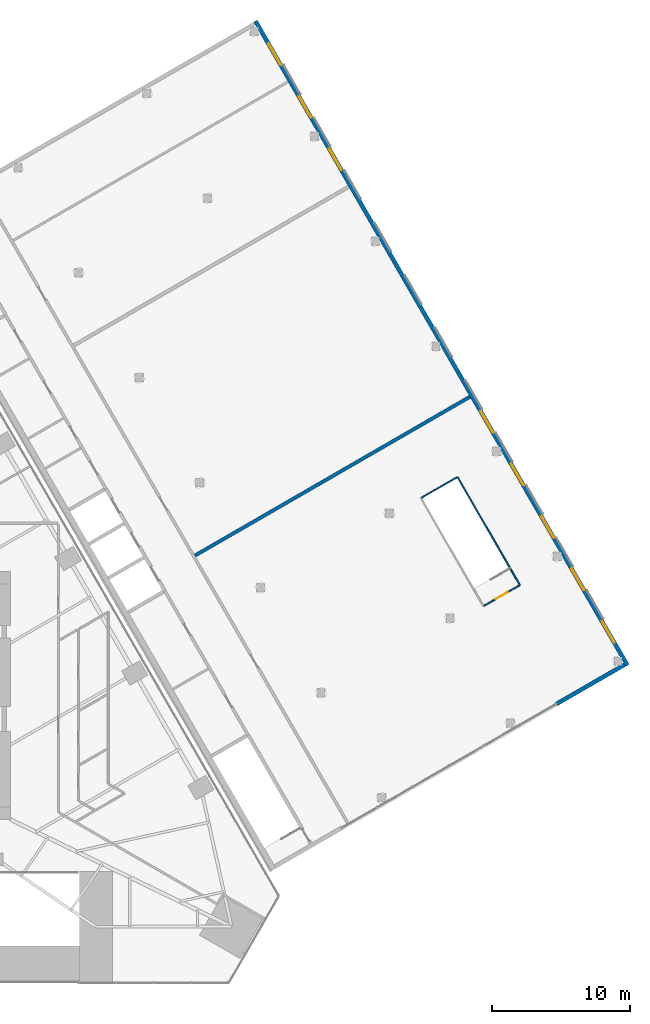
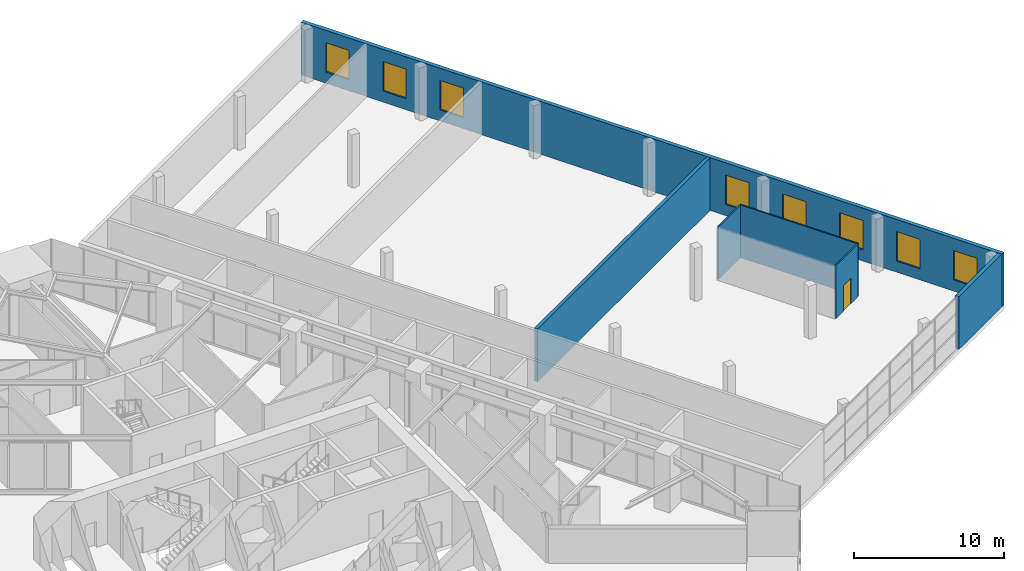
# One storey, part 20 of 23: 8 windows, 6 walls, 1 door, 9 openings.
"""IFC4 building model written with IfcOpenShell, lengths in metres."""

from ifc_helpers import new_model, si_unit, direction, frame, frame_2d, origin, place, context, subcontext, project, spatial, rectangle, extrude, material, layer, layer_set, type_object, element, fill, save


model = new_model("IFC4")

# Units and contexts
model_context = context("Model", 3, precision=1e-05, world=origin(), true_north=direction((0.0, 1.0)))
body_context = subcontext(model_context, "Body", "Model", "MODEL_VIEW")
ifc_project = project(units=[si_unit("LENGTHUNIT", "METRE"), si_unit("AREAUNIT", "SQUARE_METRE"), si_unit("VOLUMEUNIT", "CUBIC_METRE"), si_unit("PLANEANGLEUNIT", "RADIAN"), si_unit("MASSUNIT", "GRAM", prefix="KILO")], contexts=[model_context])

# Site, building, storey
site_placement = place(None, origin())
site = spatial("IfcSite", under=ifc_project, at=site_placement, CompositionType="ELEMENT")
building_placement = place(site_placement, origin())
building = spatial("IfcBuilding", under=site, at=building_placement, Name="Firuza Gate Tower and Library", CompositionType="ELEMENT")
storey_placement = place(building_placement, frame((0.0, 0.0, 21.800048828125)))
storey = spatial("IfcBuildingStorey", under=building, at=storey_placement, Name="L04", CompositionType="ELEMENT", Elevation=21.800048828125)

# Wall, openings, windows
ifc_material_1 = material(Name="Concrete C30/37", Category="concrete")
ifc_layer_1 = layer(ifc_material_1, 0.300048828125)
ifc_layer_set_1 = layer_set([ifc_layer_1], Name="LIB EXTERNAL WALL 300")
wall_type_1 = type_object("IfcWallType", Name="LIB EXTERNAL WALL 300", PredefinedType="SOLIDWALL", material=ifc_layer_set_1)
wall_1_placement = place(storey_placement, frame((132.783935546875, 77.1845703125, 0.0), z_axis=(0.0, 0.0, 1.0), x_axis=(-0.49999992739, 0.866025445706, 0.0)))
wall_1 = element("IfcWall", 1, at=wall_1_placement, inside=storey, type_object=wall_type_1, Name="L04 east wall", PredefinedType="SOLIDWALL", context=body_context, shape_type="SweptSolid", body=[
    extrude(rectangle(XDim=54.0, YDim=0.300048828125, at=frame_2d((27.0, 0.0))), origin(), (0.0, 0.0, 1.0), 4.300048828125),
])
opening_1_placement = place(wall_1_placement, frame((1.89990234375, 0.0, 0.89990234375)))
opening_1 = element("IfcOpeningElement", 2, at=opening_1_placement, cuts=wall_1, Name="Opening LIB-WN1-001", PredefinedType="OPENING", context=body_context, shape_type="SweptSolid", body=[
    extrude(rectangle(XDim=1.800048828125, YDim=2.39990234375, at=frame_2d((0.89990234375, 1.199951171875))), frame((0.0, 0.16015625, 0.0), z_axis=(0.0, -1.0, 0.0), x_axis=(1.0, 0.0, 0.0)), (0.0, 0.0, 1.0), 0.320068359375),
])
opening_2_placement = place(wall_1_placement, frame((6.300048828125, 0.0, 0.89990234375)))
opening_2 = element("IfcOpeningElement", 3, at=opening_2_placement, cuts=wall_1, Name="Opening LIB-WN1-002", PredefinedType="OPENING", context=body_context, shape_type="SweptSolid", body=[
    extrude(rectangle(XDim=1.800048828125, YDim=2.39990234375, at=frame_2d((0.89990234375, 1.199951171875))), frame((0.0, 0.16015625, 0.0), z_axis=(0.0, -1.0, 0.0), x_axis=(1.0, 0.0, 0.0)), (0.0, 0.0, 1.0), 0.320068359375),
])
opening_3_placement = place(wall_1_placement, frame((10.699951171875, 0.0, 0.89990234375)))
opening_3 = element("IfcOpeningElement", 4, at=opening_3_placement, cuts=wall_1, Name="Opening LIB-WN1-003", PredefinedType="OPENING", context=body_context, shape_type="SweptSolid", body=[
    extrude(rectangle(XDim=1.800048828125, YDim=2.39990234375, at=frame_2d((0.89990234375, 1.199951171875))), frame((0.0, 0.16015625, 0.0), z_axis=(0.0, -1.0, 0.0), x_axis=(1.0, 0.0, 0.0)), (0.0, 0.0, 1.0), 0.320068359375),
])
opening_4_placement = place(wall_1_placement, frame((15.10009765625, 0.0, 0.89990234375)))
opening_4 = element("IfcOpeningElement", 5, at=opening_4_placement, cuts=wall_1, Name="Opening LIB-WN1-004", PredefinedType="OPENING", context=body_context, shape_type="SweptSolid", body=[
    extrude(rectangle(XDim=1.800048828125, YDim=2.39990234375, at=frame_2d((0.89990234375, 1.199951171875))), frame((0.0, 0.16015625, 0.0), z_axis=(0.0, -1.0, 0.0), x_axis=(1.0, 0.0, 0.0)), (0.0, 0.0, 1.0), 0.320068359375),
])
opening_5_placement = place(wall_1_placement, frame((19.5, 0.0, 0.89990234375)))
opening_5 = element("IfcOpeningElement", 6, at=opening_5_placement, cuts=wall_1, Name="Opening LIB-WN1-005", PredefinedType="OPENING", context=body_context, shape_type="SweptSolid", body=[
    extrude(rectangle(XDim=1.800048828125, YDim=2.39990234375, at=frame_2d((0.89990234375, 1.199951171875))), frame((0.0, 0.16015625, 0.0), z_axis=(0.0, -1.0, 0.0), x_axis=(1.0, 0.0, 0.0)), (0.0, 0.0, 1.0), 0.320068359375),
])
opening_6_placement = place(wall_1_placement, frame((41.5, 0.0, 0.89990234375)))
opening_6 = element("IfcOpeningElement", 7, at=opening_6_placement, cuts=wall_1, Name="Opening LIB-WN1-006", PredefinedType="OPENING", context=body_context, shape_type="SweptSolid", body=[
    extrude(rectangle(XDim=1.800048828125, YDim=2.39990234375, at=frame_2d((0.89990234375, 1.199951171875))), frame((0.0, 0.16015625, 0.0), z_axis=(0.0, -1.0, 0.0), x_axis=(1.0, 0.0, 0.0)), (0.0, 0.0, 1.0), 0.320068359375),
])
opening_7_placement = place(wall_1_placement, frame((45.89990234375, 0.0, 0.89990234375)))
opening_7 = element("IfcOpeningElement", 8, at=opening_7_placement, cuts=wall_1, Name="Opening LIB-WN1-007", PredefinedType="OPENING", context=body_context, shape_type="SweptSolid", body=[
    extrude(rectangle(XDim=1.800048828125, YDim=2.39990234375, at=frame_2d((0.89990234375, 1.199951171875))), frame((0.0, 0.16015625, 0.0), z_axis=(0.0, -1.0, 0.0), x_axis=(1.0, 0.0, 0.0)), (0.0, 0.0, 1.0), 0.320068359375),
])
opening_8_placement = place(wall_1_placement, frame((50.300048828125, 0.0, 0.89990234375)))
opening_8 = element("IfcOpeningElement", 9, at=opening_8_placement, cuts=wall_1, Name="Opening LIB-WN1-008", PredefinedType="OPENING", context=body_context, shape_type="SweptSolid", body=[
    extrude(rectangle(XDim=1.800048828125, YDim=2.39990234375, at=frame_2d((0.89990234375, 1.199951171875))), frame((0.0, 0.16015625, 0.0), z_axis=(0.0, -1.0, 0.0), x_axis=(1.0, 0.0, 0.0)), (0.0, 0.0, 1.0), 0.320068359375),
])
ifc_material_2 = material(Name="Ceramic-fritted glass", Category="glass")
window_type = type_object("IfcWindowType", Name="LIB WINDOW 1800X2400", PartitioningType="SINGLE_PANEL", PredefinedType="WINDOW", material=ifc_material_2)
window_1_placement = place(opening_1_placement, origin())
window_1 = element("IfcWindow", 10, at=window_1_placement, inside=storey, type_object=window_type, Name="L04 east window 1a", OverallHeight=2.39990234375, OverallWidth=1.800048828125, PartitioningType="SINGLE_PANEL", PredefinedType="WINDOW", context=body_context, shape_type="SweptSolid", body=[
    extrude(rectangle(XDim=1.800048828125, YDim=2.39990234375, at=frame_2d((0.89990234375, 1.199951171875))), frame((0.0, 0.030029296875, 0.0), z_axis=(0.0, -1.0, 0.0), x_axis=(1.0, 0.0, 0.0)), (0.0, 0.0, 1.0), 0.06005859375),
])
fill(opening_1, window_1)
window_2_placement = place(opening_2_placement, origin())
window_2 = element("IfcWindow", 11, at=window_2_placement, inside=storey, type_object=window_type, Name="L04 east window 1b", OverallHeight=2.39990234375, OverallWidth=1.800048828125, PartitioningType="SINGLE_PANEL", PredefinedType="WINDOW", context=body_context, shape_type="SweptSolid", body=[
    extrude(rectangle(XDim=1.800048828125, YDim=2.39990234375, at=frame_2d((0.89990234375, 1.199951171875))), frame((0.0, 0.030029296875, 0.0), z_axis=(0.0, -1.0, 0.0), x_axis=(1.0, 0.0, 0.0)), (0.0, 0.0, 1.0), 0.06005859375),
])
fill(opening_2, window_2)
window_3_placement = place(opening_3_placement, origin())
window_3 = element("IfcWindow", 12, at=window_3_placement, inside=storey, type_object=window_type, Name="L04 east window 2a", OverallHeight=2.39990234375, OverallWidth=1.800048828125, PartitioningType="SINGLE_PANEL", PredefinedType="WINDOW", context=body_context, shape_type="SweptSolid", body=[
    extrude(rectangle(XDim=1.800048828125, YDim=2.39990234375, at=frame_2d((0.89990234375, 1.199951171875))), frame((0.0, 0.030029296875, 0.0), z_axis=(0.0, -1.0, 0.0), x_axis=(1.0, 0.0, 0.0)), (0.0, 0.0, 1.0), 0.06005859375),
])
fill(opening_3, window_3)
window_4_placement = place(opening_4_placement, origin())
window_4 = element("IfcWindow", 13, at=window_4_placement, inside=storey, type_object=window_type, Name="L04 east window 2b", OverallHeight=2.39990234375, OverallWidth=1.800048828125, PartitioningType="SINGLE_PANEL", PredefinedType="WINDOW", context=body_context, shape_type="SweptSolid", body=[
    extrude(rectangle(XDim=1.800048828125, YDim=2.39990234375, at=frame_2d((0.89990234375, 1.199951171875))), frame((0.0, 0.030029296875, 0.0), z_axis=(0.0, -1.0, 0.0), x_axis=(1.0, 0.0, 0.0)), (0.0, 0.0, 1.0), 0.06005859375),
])
fill(opening_4, window_4)
window_5_placement = place(opening_5_placement, origin())
window_5 = element("IfcWindow", 14, at=window_5_placement, inside=storey, type_object=window_type, Name="L04 east window 3a", OverallHeight=2.39990234375, OverallWidth=1.800048828125, PartitioningType="SINGLE_PANEL", PredefinedType="WINDOW", context=body_context, shape_type="SweptSolid", body=[
    extrude(rectangle(XDim=1.800048828125, YDim=2.39990234375, at=frame_2d((0.89990234375, 1.199951171875))), frame((0.0, 0.030029296875, 0.0), z_axis=(0.0, -1.0, 0.0), x_axis=(1.0, 0.0, 0.0)), (0.0, 0.0, 1.0), 0.06005859375),
])
fill(opening_5, window_5)
window_6_placement = place(opening_6_placement, origin())
window_6 = element("IfcWindow", 15, at=window_6_placement, inside=storey, type_object=window_type, Name="L04 east window 5b", OverallHeight=2.39990234375, OverallWidth=1.800048828125, PartitioningType="SINGLE_PANEL", PredefinedType="WINDOW", context=body_context, shape_type="SweptSolid", body=[
    extrude(rectangle(XDim=1.800048828125, YDim=2.39990234375, at=frame_2d((0.89990234375, 1.199951171875))), frame((0.0, 0.030029296875, 0.0), z_axis=(0.0, -1.0, 0.0), x_axis=(1.0, 0.0, 0.0)), (0.0, 0.0, 1.0), 0.06005859375),
])
fill(opening_6, window_6)
window_7_placement = place(opening_7_placement, origin())
window_7 = element("IfcWindow", 16, at=window_7_placement, inside=storey, type_object=window_type, Name="L04 east window 6a", OverallHeight=2.39990234375, OverallWidth=1.800048828125, PartitioningType="SINGLE_PANEL", PredefinedType="WINDOW", context=body_context, shape_type="SweptSolid", body=[
    extrude(rectangle(XDim=1.800048828125, YDim=2.39990234375, at=frame_2d((0.89990234375, 1.199951171875))), frame((0.0, 0.030029296875, 0.0), z_axis=(0.0, -1.0, 0.0), x_axis=(1.0, 0.0, 0.0)), (0.0, 0.0, 1.0), 0.06005859375),
])
fill(opening_7, window_7)
window_8_placement = place(opening_8_placement, origin())
window_8 = element("IfcWindow", 17, at=window_8_placement, inside=storey, type_object=window_type, Name="L04 east window 6b", OverallHeight=2.39990234375, OverallWidth=1.800048828125, PartitioningType="SINGLE_PANEL", PredefinedType="WINDOW", context=body_context, shape_type="SweptSolid", body=[
    extrude(rectangle(XDim=1.800048828125, YDim=2.39990234375, at=frame_2d((0.89990234375, 1.199951171875))), frame((0.0, 0.030029296875, 0.0), z_axis=(0.0, -1.0, 0.0), x_axis=(1.0, 0.0, 0.0)), (0.0, 0.0, 1.0), 0.06005859375),
])
fill(opening_8, window_8)

# Walls
wall_2_placement = place(storey_placement, frame((127.642578125, 74.389404296875, 0.0), z_axis=(0.0, 0.0, 1.0), x_axis=(0.866025820012, 0.499999279071, 0.0)))
element("IfcWall", 18, at=wall_2_placement, inside=storey, type_object=wall_type_1, Name="L04 south wall S2", PredefinedType="SOLIDWALL", context=body_context, shape_type="SweptSolid", body=[
    extrude(rectangle(XDim=5.7001953125, YDim=0.300048828125, at=frame_2d((2.85009765625, 0.0))), origin(), (0.0, 0.0, 1.0), 4.300048828125),
])
ifc_material_3 = material(Name="Laminated glass", Category="glass")
ifc_layer_2 = layer(ifc_material_3, 0.10009765625)
ifc_layer_set_2 = layer_set([ifc_layer_2], Name="LIB GLAZED STAIR SCREEN 100")
wall_type_2 = type_object("IfcWallType", Name="LIB GLAZED STAIR SCREEN 100", PredefinedType="PARTITIONING", material=ifc_layer_set_2)
wall_3_placement = place(storey_placement, frame((124.974609375, 83.010498046875, 0.0), z_axis=(0.0, 0.0, 1.0), x_axis=(-0.500002365587, 0.866024038008, 0.0)))
element("IfcWall", 19, at=wall_3_placement, inside=storey, type_object=wall_type_2, Name="L04 glass wall 19", PredefinedType="PARTITIONING", context=body_context, shape_type="SweptSolid", body=[
    extrude(rectangle(XDim=9.06005859375, YDim=0.10009765625, at=frame_2d((4.530029296875, 0.0))), origin(), (0.0, 0.0, 1.0), 4.300048828125),
])

# Wall, opening, door
wall_4_placement = place(storey_placement, frame((122.376708984375, 81.510498046875, 0.0), z_axis=(0.0, 0.0, 1.0), x_axis=(0.866003658127, 0.500037662692, 0.0)))
wall_4 = element("IfcWall", 20, at=wall_4_placement, inside=storey, type_object=wall_type_2, Name="L04 glass wall 20", PredefinedType="PARTITIONING", context=body_context, shape_type="SweptSolid", body=[
    extrude(rectangle(XDim=2.949951171875, YDim=0.10009765625, at=frame_2d((1.47509765625, 0.0))), origin(), (0.0, 0.0, 1.0), 4.300048828125),
])
opening_9_placement = place(wall_4_placement, frame((0.97509765625, 0.0, 0.0)))
opening_9 = element("IfcOpeningElement", 21, at=opening_9_placement, cuts=wall_4, Name="Opening LIB-D2-002", PredefinedType="OPENING", context=body_context, shape_type="SweptSolid", body=[
    extrude(rectangle(XDim=1.0, YDim=2.10009765625, at=frame_2d((0.5, 1.050048828125))), frame((0.0, 0.06005859375, 0.0), z_axis=(0.0, -1.0, 0.0), x_axis=(1.0, 0.0, 0.0)), (0.0, 0.0, 1.0), 0.1201171875),
])
ifc_material_4 = material(Name="Timber door leaf", Category="wood")
door_type = type_object("IfcDoorType", Name="LIB DOOR 1000", OperationType="NOTDEFINED", PredefinedType="DOOR", material=ifc_material_4)
door_placement = place(opening_9_placement, origin())
door = element("IfcDoor", 22, at=door_placement, inside=storey, type_object=door_type, Name="L04 door 12", OperationType="SINGLE_SWING_RIGHT", OverallHeight=2.10009765625, OverallWidth=1.0, PredefinedType="DOOR", context=body_context, shape_type="SweptSolid", body=[
    extrude(rectangle(XDim=1.0, YDim=2.10009765625, at=frame_2d((0.5, 1.050048828125))), frame((0.0, 0.02490234375, 0.0), z_axis=(0.0, -1.0, 0.0), x_axis=(1.0, 0.0, 0.0)), (0.0, 0.0, 1.0), 0.050048828125),
])
fill(opening_9, door)

# Walls
wall_5_placement = place(storey_placement, frame((117.8466796875, 89.356689453125, 0.0), z_axis=(0.0, 0.0, 1.0), x_axis=(0.866003658127, 0.500037662692, 0.0)))
element("IfcWall", 23, at=wall_5_placement, inside=storey, type_object=wall_type_2, Name="L04 glass wall 21", PredefinedType="PARTITIONING", context=body_context, shape_type="SweptSolid", body=[
    extrude(rectangle(XDim=2.949951171875, YDim=0.10009765625, at=frame_2d((1.47509765625, 0.0))), origin(), (0.0, 0.0, 1.0), 4.300048828125),
])
ifc_material_5 = material(Name="Concrete C40/50", Category="concrete")
ifc_layer_3 = layer(ifc_material_5, 0.25)
ifc_layer_set_3 = layer_set([ifc_layer_3], Name="LIB SHAFT WALL 250")
wall_type_3 = type_object("IfcWallType", Name="LIB SHAFT WALL 250", PredefinedType="SOLIDWALL", material=ifc_layer_set_3)
wall_6_placement = place(storey_placement, frame((101.39208984375, 85.15673828125, 0.0), z_axis=(0.0, 0.0, 1.0), x_axis=(0.866022961126, 0.500004230785, 0.0)))
element("IfcWall", 24, at=wall_6_placement, inside=storey, type_object=wall_type_3, Name="L04 shaft wall 17", PredefinedType="SOLIDWALL", context=body_context, shape_type="SweptSolid", body=[
    extrude(rectangle(XDim=23.050048828125, YDim=0.25, at=frame_2d((11.52490234375, 0.0))), origin(), (0.0, 0.0, 1.0), 4.300048828125),
])

save(model, "model.ifc")
